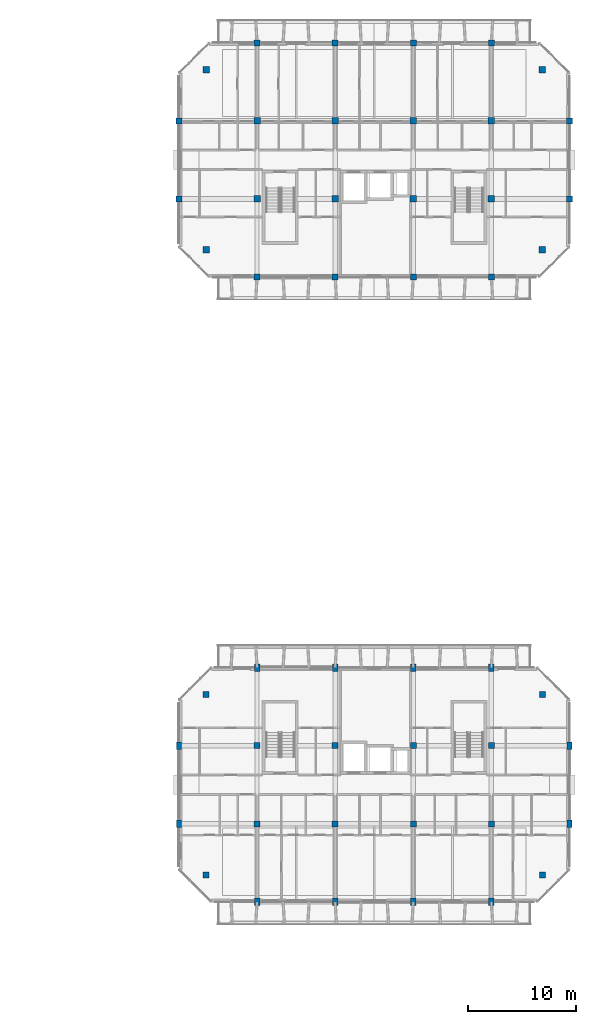
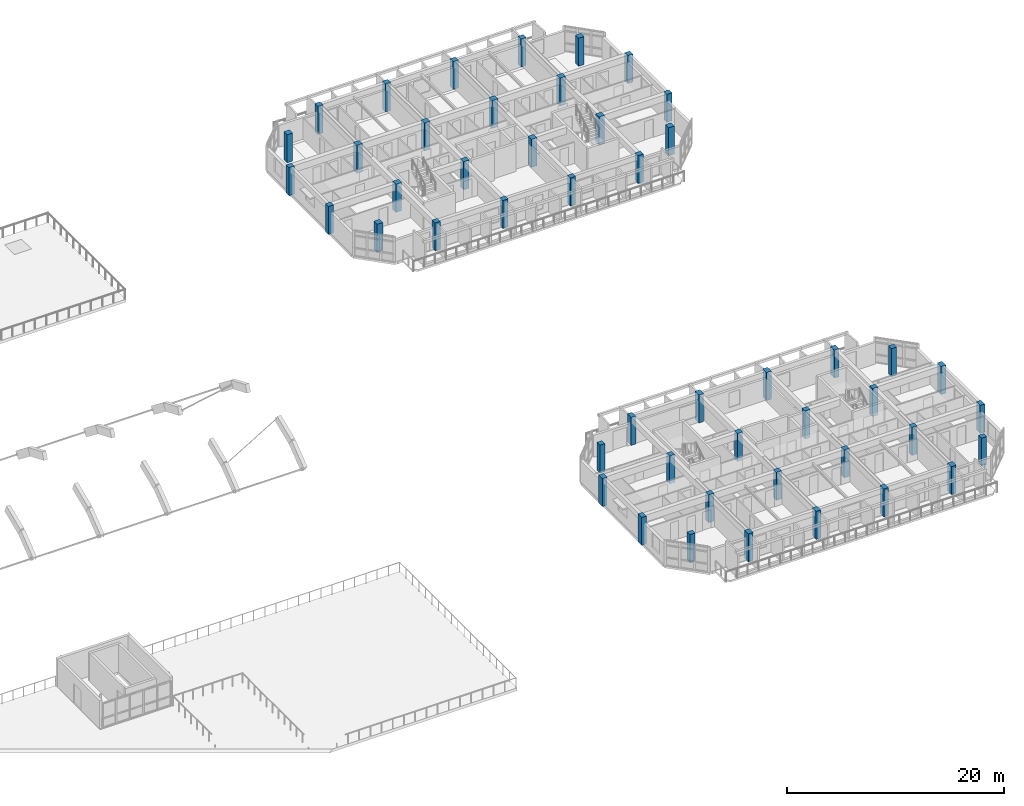
# One storey, part 5 of 64: 48 columns.
"""IFC4 building model written with IfcOpenShell, lengths in metres."""

from ifc_helpers import new_model, si_unit, direction, frame, origin, origin_2d, place, context, subcontext, project, spatial, rectangle, extrude, material, material_profile, profile_set, type_object, element, save


model = new_model("IFC4")

# Units and contexts
model_context = context("Model", 3, precision=1e-05, world=origin(), true_north=direction((0.0, 1.0)))
body_context = subcontext(model_context, "Body", "Model", "MODEL_VIEW")
ifc_project = project(units=[si_unit("LENGTHUNIT", "METRE"), si_unit("AREAUNIT", "SQUARE_METRE"), si_unit("VOLUMEUNIT", "CUBIC_METRE"), si_unit("PLANEANGLEUNIT", "RADIAN"), si_unit("MASSUNIT", "GRAM", prefix="KILO")], contexts=[model_context])

# Site, building, storey
site_placement = place(None, origin())
site = spatial("IfcSite", under=ifc_project, at=site_placement, CompositionType="ELEMENT")
building_placement = place(site_placement, origin())
building = spatial("IfcBuilding", under=site, at=building_placement, Name="Ochrevale Crest", CompositionType="ELEMENT")
storey_placement = place(building_placement, frame((0.0, 0.0, 8.699951171875)))
storey = spatial("IfcBuildingStorey", under=building, at=storey_placement, Name="L02", CompositionType="ELEMENT", Elevation=8.699951171875)

# Columns
ifc_material = material(Name="Precast concrete C50/60", Category="concrete")
ifc_material_profile_1 = material_profile(ifc_material, rectangle(XDim=0.5, YDim=0.699951171875, at=origin_2d()), Name="RC 500x700")
ifc_profile_set_1 = profile_set([ifc_material_profile_1], Name="Precast concrete C50/60")
column_type_1 = type_object("IfcColumnType", Name="COL-RC500x700", PredefinedType="COLUMN", material=ifc_profile_set_1)
for number, where, z_axis, x_axis, name in (
    (1, (129.60009765625, 21.60009765625, 0.0), (0.0, 0.0, 1.0), (1.0, 0.0, 0.0), "Block C L02 column (129.6,21.6)"),
    (2, (129.60009765625, 28.800048828125, 0.0), (0.0, 0.0, 1.0), (1.0, 0.0, 0.0), "Block C L02 column (129.6,28.8)"),
    (3, (136.800048828125, 14.39990234375, 0.0), (0.0, 0.0, 1.0), (1.0, 0.0, 0.0), "Block C L02 column (136.8,14.4)"),
    (4, (136.800048828125, 36.0, 0.0), (0.0, 0.0, 1.0), (1.0, 0.0, 0.0), "Block C L02 column (136.8,36.0)"),
    (5, (144.0, 14.39990234375, 0.0), (0.0, 0.0, 1.0), (1.0, 0.0, 0.0), "Block C L02 column (144.0,14.4)"),
    (6, (144.0, 36.0, 0.0), (0.0, 0.0, 1.0), (1.0, 0.0, 0.0), "Block C L02 column (144.0,36.0)"),
    (7, (151.199951171875, 14.39990234375, 0.0), (0.0, 0.0, 1.0), (1.0, 0.0, 0.0), "Block C L02 column (151.2,14.4)"),
    (8, (151.199951171875, 36.0, 0.0), (0.0, 0.0, 1.0), (1.0, 0.0, 0.0), "Block C L02 column (151.2,36.0)"),
    (9, (158.39990234375, 14.39990234375, 0.0), (0.0, 0.0, 1.0), (1.0, 0.0, 0.0), "Block C L02 column (158.4,14.4)"),
    (10, (158.39990234375, 36.0, 0.0), (0.0, 0.0, 1.0), (1.0, 0.0, 0.0), "Block C L02 column (158.4,36.0)"),
    (11, (165.60009765625, 21.60009765625, 0.0), (0.0, 0.0, 1.0), (1.0, 0.0, 0.0), "Block C L02 column (165.6,21.6)"),
    (12, (165.60009765625, 28.800048828125, 0.0), (0.0, 0.0, 1.0), (1.0, 0.0, 0.0), "Block C L02 column (165.6,28.8)"),
):
    element("IfcColumn", number, at=place(storey_placement, frame(where, z_axis=z_axis, x_axis=x_axis)), inside=storey, type_object=column_type_1, Name=name, PredefinedType="COLUMN", context=body_context, shape_type="SweptSolid", body=[
        extrude(rectangle(XDim=0.5, YDim=0.699951171875, at=origin_2d()), origin(), (0.0, 0.0, 1.0), 3.150146484375),
    ])
ifc_material_profile_2 = material_profile(ifc_material, rectangle(XDim=0.550048828125, YDim=0.550048828125, at=origin_2d()), Name="RC 550x550")
ifc_profile_set_2 = profile_set([ifc_material_profile_2], Name="Precast concrete C50/60")
column_type_2 = type_object("IfcColumnType", Name="COL-RC550x550", PredefinedType="COLUMN", material=ifc_profile_set_2)
for number, where, z_axis, x_axis, name in (
    (13, (132.10009765625, 16.89990234375, 0.0), (0.0, 0.0, 1.0), (1.0, 0.0, 0.0), "Block C L02 column (132.1,16.9)"),
    (14, (132.10009765625, 33.5, 0.0), (0.0, 0.0, 1.0), (1.0, 0.0, 0.0), "Block C L02 column (132.1,33.5)"),
    (15, (136.800048828125, 21.60009765625, 0.0), (0.0, 0.0, 1.0), (1.0, 0.0, 0.0), "Block C L02 column (136.8,21.6)"),
    (16, (136.800048828125, 28.800048828125, 0.0), (0.0, 0.0, 1.0), (1.0, 0.0, 0.0), "Block C L02 column (136.8,28.8)"),
    (17, (144.0, 21.60009765625, 0.0), (0.0, 0.0, 1.0), (1.0, 0.0, 0.0), "Block C L02 column (144.0,21.6)"),
    (18, (144.0, 28.800048828125, 0.0), (0.0, 0.0, 1.0), (1.0, 0.0, 0.0), "Block C L02 column (144.0,28.8)"),
    (19, (151.199951171875, 21.60009765625, 0.0), (0.0, 0.0, 1.0), (1.0, 0.0, 0.0), "Block C L02 column (151.2,21.6)"),
    (20, (151.199951171875, 28.800048828125, 0.0), (0.0, 0.0, 1.0), (1.0, 0.0, 0.0), "Block C L02 column (151.2,28.8)"),
    (21, (158.39990234375, 21.60009765625, 0.0), (0.0, 0.0, 1.0), (1.0, 0.0, 0.0), "Block C L02 column (158.4,21.6)"),
    (22, (158.39990234375, 28.800048828125, 0.0), (0.0, 0.0, 1.0), (1.0, 0.0, 0.0), "Block C L02 column (158.4,28.8)"),
    (23, (163.10009765625, 16.89990234375, 0.0), (0.0, 0.0, 1.0), (1.0, 0.0, 0.0), "Block C L02 column (163.1,16.9)"),
    (24, (163.10009765625, 33.5, 0.0), (0.0, 0.0, 1.0), (1.0, 0.0, 0.0), "Block C L02 column (163.1,33.5)"),
    (25, (129.60009765625, 79.199951171875, 0.0), (0.0, 0.0, 1.0), (1.0, 0.0, 0.0), "Block D L02 column (129.6,79.2)"),
    (26, (129.60009765625, 86.39990234375, 0.0), (0.0, 0.0, 1.0), (1.0, 0.0, 0.0), "Block D L02 column (129.6,86.4)"),
    (27, (136.800048828125, 72.0, 0.0), (0.0, 0.0, 1.0), (1.0, 0.0, 0.0), "Block D L02 column (136.8,72.0)"),
    (28, (136.800048828125, 93.60009765625, 0.0), (0.0, 0.0, 1.0), (1.0, 0.0, 0.0), "Block D L02 column (136.8,93.6)"),
    (29, (144.0, 72.0, 0.0), (0.0, 0.0, 1.0), (1.0, 0.0, 0.0), "Block D L02 column (144.0,72.0)"),
    (30, (144.0, 93.60009765625, 0.0), (0.0, 0.0, 1.0), (1.0, 0.0, 0.0), "Block D L02 column (144.0,93.6)"),
    (31, (151.199951171875, 72.0, 0.0), (0.0, 0.0, 1.0), (1.0, 0.0, 0.0), "Block D L02 column (151.2,72.0)"),
    (32, (151.199951171875, 93.60009765625, 0.0), (0.0, 0.0, 1.0), (1.0, 0.0, 0.0), "Block D L02 column (151.2,93.6)"),
    (33, (158.39990234375, 72.0, 0.0), (0.0, 0.0, 1.0), (1.0, 0.0, 0.0), "Block D L02 column (158.4,72.0)"),
    (34, (158.39990234375, 93.60009765625, 0.0), (0.0, 0.0, 1.0), (1.0, 0.0, 0.0), "Block D L02 column (158.4,93.6)"),
    (35, (165.60009765625, 79.199951171875, 0.0), (0.0, 0.0, 1.0), (1.0, 0.0, 0.0), "Block D L02 column (165.6,79.2)"),
    (36, (165.60009765625, 86.39990234375, 0.0), (0.0, 0.0, 1.0), (1.0, 0.0, 0.0), "Block D L02 column (165.6,86.4)"),
):
    element("IfcColumn", number, at=place(storey_placement, frame(where, z_axis=z_axis, x_axis=x_axis)), inside=storey, type_object=column_type_2, Name=name, PredefinedType="COLUMN", context=body_context, shape_type="SweptSolid", body=[
        extrude(rectangle(XDim=0.550048828125, YDim=0.550048828125, at=origin_2d()), origin(), (0.0, 0.0, 1.0), 3.150146484375),
    ])
ifc_material_profile_3 = material_profile(ifc_material, rectangle(XDim=0.60009765625, YDim=0.60009765625, at=origin_2d()), Name="RC 600x600")
ifc_profile_set_3 = profile_set([ifc_material_profile_3], Name="Precast concrete C50/60")
column_type_3 = type_object("IfcColumnType", Name="COL-RC600x600", PredefinedType="COLUMN", material=ifc_profile_set_3)
for number, where, z_axis, x_axis, name in (
    (37, (132.10009765625, 74.5, 0.0), (0.0, 0.0, 1.0), (1.0, 0.0, 0.0), "Block D L02 column (132.1,74.5)"),
    (38, (132.10009765625, 91.10009765625, 0.0), (0.0, 0.0, 1.0), (1.0, 0.0, 0.0), "Block D L02 column (132.1,91.1)"),
    (39, (136.800048828125, 79.199951171875, 0.0), (0.0, 0.0, 1.0), (1.0, 0.0, 0.0), "Block D L02 column (136.8,79.2)"),
    (40, (136.800048828125, 86.39990234375, 0.0), (0.0, 0.0, 1.0), (1.0, 0.0, 0.0), "Block D L02 column (136.8,86.4)"),
    (41, (144.0, 79.199951171875, 0.0), (0.0, 0.0, 1.0), (1.0, 0.0, 0.0), "Block D L02 column (144.0,79.2)"),
    (42, (144.0, 86.39990234375, 0.0), (0.0, 0.0, 1.0), (1.0, 0.0, 0.0), "Block D L02 column (144.0,86.4)"),
    (43, (151.199951171875, 79.199951171875, 0.0), (0.0, 0.0, 1.0), (1.0, 0.0, 0.0), "Block D L02 column (151.2,79.2)"),
    (44, (151.199951171875, 86.39990234375, 0.0), (0.0, 0.0, 1.0), (1.0, 0.0, 0.0), "Block D L02 column (151.2,86.4)"),
    (45, (158.39990234375, 79.199951171875, 0.0), (0.0, 0.0, 1.0), (1.0, 0.0, 0.0), "Block D L02 column (158.4,79.2)"),
    (46, (158.39990234375, 86.39990234375, 0.0), (0.0, 0.0, 1.0), (1.0, 0.0, 0.0), "Block D L02 column (158.4,86.4)"),
    (47, (163.10009765625, 74.5, 0.0), (0.0, 0.0, 1.0), (1.0, 0.0, 0.0), "Block D L02 column (163.1,74.5)"),
    (48, (163.10009765625, 91.10009765625, 0.0), (0.0, 0.0, 1.0), (1.0, 0.0, 0.0), "Block D L02 column (163.1,91.1)"),
):
    element("IfcColumn", number, at=place(storey_placement, frame(where, z_axis=z_axis, x_axis=x_axis)), inside=storey, type_object=column_type_3, Name=name, PredefinedType="COLUMN", context=body_context, shape_type="SweptSolid", body=[
        extrude(rectangle(XDim=0.60009765625, YDim=0.60009765625, at=origin_2d()), origin(), (0.0, 0.0, 1.0), 3.150146484375),
    ])

save(model, "model.ifc")
